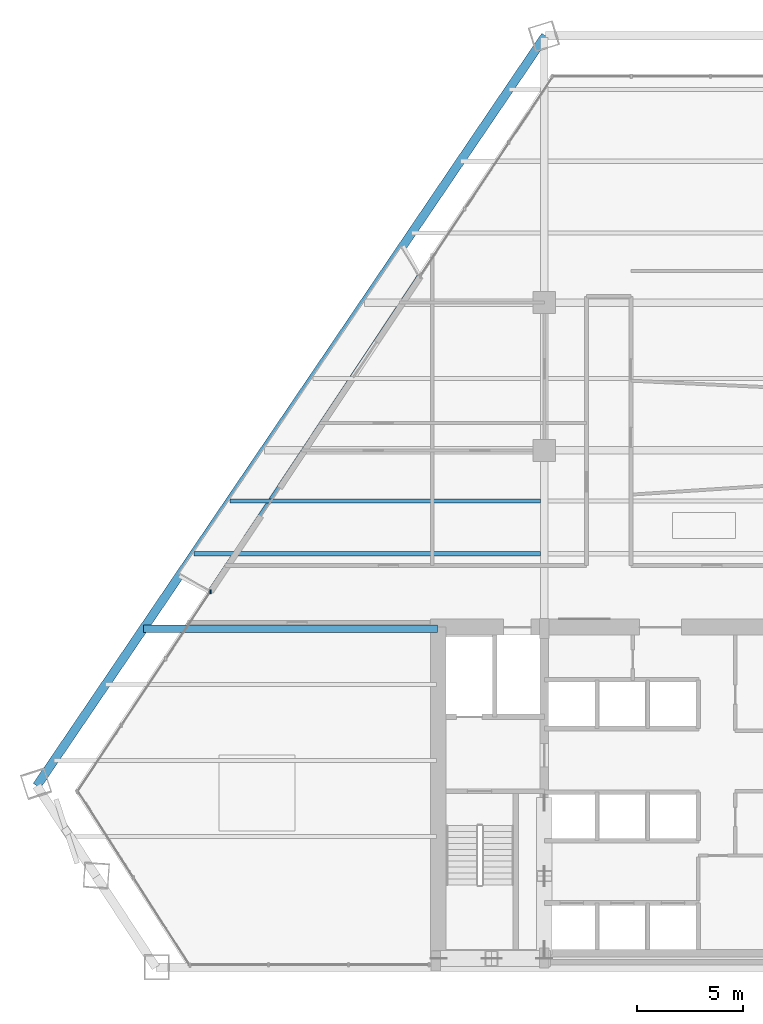
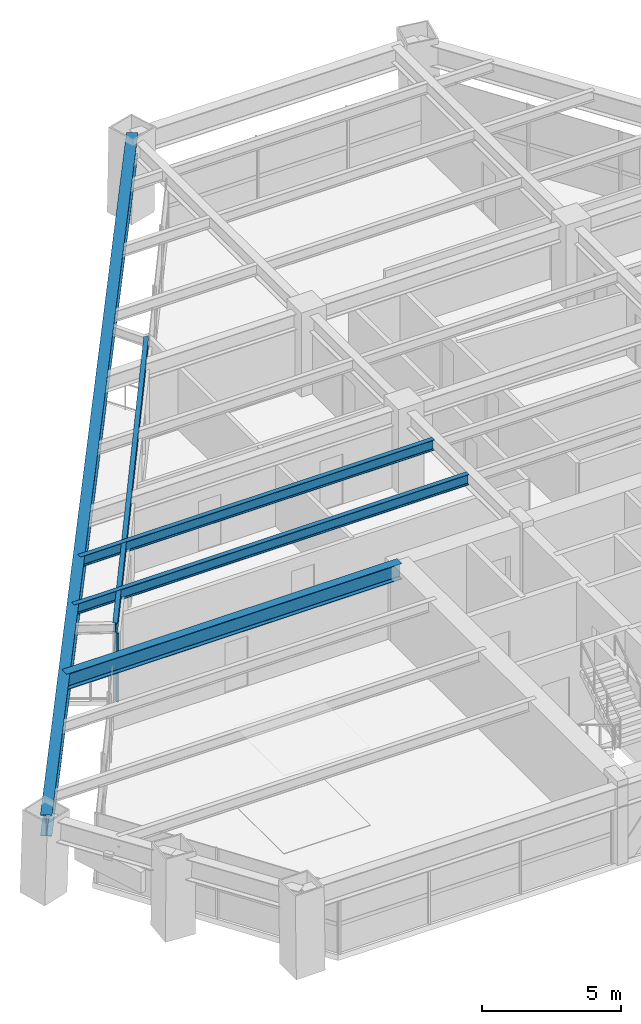
# One storey, part 4 of 14: 5 beams, 1 member, 1 element without a shape of its own.
"""IFC4 building model written with IfcOpenShell, lengths in metres."""

from ifc_helpers import new_model, si_unit, direction, frame, origin, origin_2d, place, context, subcontext, project, spatial, rectangle, i_section, extrude, source, transform, mapped, material, material_profile, profile_set, type_object, element, aggregate, save


model = new_model("IFC4")

# Units and contexts
model_context = context("Model", 3, precision=1e-05, world=origin(), true_north=direction((0.0, 1.0)))
body_context = subcontext(model_context, "Body", "Model", "MODEL_VIEW")
ifc_project = project(units=[si_unit("LENGTHUNIT", "METRE"), si_unit("AREAUNIT", "SQUARE_METRE"), si_unit("VOLUMEUNIT", "CUBIC_METRE"), si_unit("PLANEANGLEUNIT", "RADIAN"), si_unit("MASSUNIT", "GRAM", prefix="KILO")], contexts=[model_context])

# Site, building, storey
site_placement = place(None, origin())
site = spatial("IfcSite", under=ifc_project, at=site_placement, CompositionType="ELEMENT")
building_placement = place(site_placement, origin())
building = spatial("IfcBuilding", under=site, at=building_placement, Name="Varnakhor Terracotta Tower", CompositionType="ELEMENT")
storey_placement = place(building_placement, frame((0.0, 0.0, 113.60009765625)))
storey = spatial("IfcBuildingStorey", under=building, at=storey_placement, Name="L28", CompositionType="ELEMENT", Elevation=113.60009765625)

# Beams
ifc_material_1 = material(Name="Steel S355", Category="steel")
ifc_material_profile_1 = material_profile(ifc_material_1, i_section(OverallWidth=0.41796875, OverallDepth=0.927001953125, WebThickness=0.01904296875, FlangeThickness=0.031982421875, FilletRadius=0.01806640625, at=origin_2d()), Name="W36X231")
ifc_profile_set_1 = profile_set([ifc_material_profile_1], Name="Steel S355")
beam_type_1 = type_object("IfcBeamType", Name="BM-W36X231", PredefinedType="BEAM", material=ifc_profile_set_1)
shared_shape_1 = source(origin(), body_context, "Body", "SweptSolid", [
    extrude(i_section(OverallWidth=0.41796875, OverallDepth=0.927001953125, WebThickness=0.01904296875, FlangeThickness=0.031982421875, FilletRadius=0.01806640625, at=origin_2d()), origin(), (0.0, 0.0, 1.0), 42.947021484375),
])
beam_1_placement = place(storey_placement, frame((-5.449462890625, 44.143310546875, 2.986328125), z_axis=(-0.561186093713, -0.827689656951, 0.0), x_axis=(0.827689656951, -0.561186093713, 0.0)))
element("IfcBeam", 1, at=beam_1_placement, inside=storey, type_object=beam_type_1, Name="L28 Perimeter Spandrel 6", PredefinedType="BEAM", context=body_context, shape_type="MappedRepresentation", body=[
    mapped(shared_shape_1, transform((0.0, 0.0, 0.0), scale=1.0)),
])
ifc_material_profile_2 = material_profile(ifc_material_1, i_section(OverallWidth=0.179931640625, OverallDepth=0.39990234375, WebThickness=0.008544921875, FlangeThickness=0.013427734375, FilletRadius=0.01806640625, at=origin_2d()), Name="IPE400")
ifc_profile_set_2 = profile_set([ifc_material_profile_2], Name="Steel S355")
beam_type_2 = type_object("IfcBeamType", Name="JST-IPE400", PredefinedType="JOIST", material=ifc_profile_set_2)
shared_shape_2 = source(origin(), body_context, "Body", "SweptSolid", [
    extrude(i_section(OverallWidth=0.179931640625, OverallDepth=0.39990234375, WebThickness=0.008544921875, FlangeThickness=0.013427734375, FilletRadius=0.01806640625, at=origin_2d()), origin(), (0.0, 0.0, 1.0), 18.008544921875),
])
beam_2_placement = place(storey_placement, frame((-11.41650390625, 32.803955078125, 3.25), z_axis=(-0.552837339674, -0.833289191015, 0.0), x_axis=(0.833289191015, -0.552837339674, 0.0)))
element("IfcBeam", 2, at=beam_2_placement, inside=storey, type_object=beam_type_2, Name="L28 Loggia Edge Beam 2", PredefinedType="JOIST", context=body_context, shape_type="MappedRepresentation", body=[
    mapped(shared_shape_2, transform((0.0, 0.0, 0.0), scale=1.0)),
])
ifc_material_profile_3 = material_profile(ifc_material_1, i_section(OverallWidth=0.35498046875, OverallDepth=0.695068359375, WebThickness=0.014892578125, FlangeThickness=0.02490234375, FilletRadius=0.01806640625, at=origin_2d()), Name="W27X146")
ifc_profile_set_3 = profile_set([ifc_material_profile_3], Name="Steel S355")
beam_type_3 = type_object("IfcBeamType", Name="BM-W27X146", PredefinedType="BEAM", material=ifc_profile_set_3)
shared_shape_3 = source(origin(), body_context, "Body", "SweptSolid", [
    extrude(i_section(OverallWidth=0.35498046875, OverallDepth=0.695068359375, WebThickness=0.014892578125, FlangeThickness=0.02490234375, FilletRadius=0.01806640625, at=origin_2d()), origin(), (0.0, 0.0, 1.0), 13.947265625),
])
beam_3_placement = place(storey_placement, frame((-24.497314453125, 16.050048828125, 3.102294921875), z_axis=(1.0, 0.0, 0.0), x_axis=(0.0, 1.0, 0.0)))
element("IfcBeam", 3, at=beam_3_placement, inside=storey, type_object=beam_type_3, Name="L28 Wing Girder W", PredefinedType="BEAM", context=body_context, shape_type="MappedRepresentation", body=[
    mapped(shared_shape_3, transform((0.0, 0.0, 0.0), scale=1.0)),
])
ifc_material_profile_4 = material_profile(ifc_material_1, i_section(OverallWidth=0.19189453125, OverallDepth=0.462890625, WebThickness=0.010498046875, FlangeThickness=0.017578125, FilletRadius=0.01806640625, at=origin_2d()), Name="W18X60")
ifc_profile_set_4 = profile_set([ifc_material_profile_4], Name="Steel S355")
beam_type_4 = type_object("IfcBeamType", Name="JST-W18X60", PredefinedType="JOIST", material=ifc_profile_set_4)
shared_shape_4 = source(origin(), body_context, "Body", "SweptSolid", [
    extrude(i_section(OverallWidth=0.19189453125, OverallDepth=0.462890625, WebThickness=0.010498046875, FlangeThickness=0.017578125, FilletRadius=0.01806640625, at=origin_2d()), origin(), (0.0, 0.0, 1.0), 16.416748046875),
])
beam_4_placement = place(storey_placement, frame((-22.09033203125, 19.60009765625, 3.218505859375), z_axis=(1.0, 0.0, 0.0), x_axis=(0.0, 1.0, 0.0)))
element("IfcBeam", 4, at=beam_4_placement, inside=storey, type_object=beam_type_4, Name="L28 Composite Floor Joist 4-1", PredefinedType="JOIST", context=body_context, shape_type="MappedRepresentation", body=[
    mapped(shared_shape_4, transform((0.0, 0.0, 0.0), scale=1.0)),
])
shared_shape_5 = source(origin(), body_context, "Body", "SweptSolid", [
    extrude(i_section(OverallWidth=0.19189453125, OverallDepth=0.462890625, WebThickness=0.010498046875, FlangeThickness=0.017578125, FilletRadius=0.01806640625, at=origin_2d()), origin(), (0.0, 0.0, 1.0), 14.7216796875),
])
beam_5_placement = place(storey_placement, frame((-20.395263671875, 22.10009765625, 3.218505859375), z_axis=(1.0, 0.0, 0.0), x_axis=(0.0, 1.0, 0.0)))
element("IfcBeam", 5, at=beam_5_placement, inside=storey, type_object=beam_type_4, Name="L28 Composite Floor Joist 5-1", PredefinedType="JOIST", context=body_context, shape_type="MappedRepresentation", body=[
    mapped(shared_shape_5, transform((0.0, 0.0, 0.0), scale=1.0)),
])

# Curtain wall, member
ifc_material_2 = material(Name="Anodised Aluminium Curtain Wall System", Category="aluminium")
curtain_wall_type = type_object("IfcCurtainWallType", Name="CW-SYS-LOW-OFFICE", PredefinedType="NOTDEFINED", material=ifc_material_2)
curtain_wall_placement = place(storey_placement, origin())
curtain_wall = element("IfcCurtainWall", 6, at=curtain_wall_placement, inside=storey, type_object=curtain_wall_type, Name="L28 W Facet Curtain Wall 1", PredefinedType="NOTDEFINED")
ifc_material_3 = material(Name="Anodised Aluminium 6063-T6", Category="aluminium")
ifc_material_profile_5 = material_profile(ifc_material_3, rectangle(XDim=0.074951171875, YDim=0.18505859375, at=origin_2d()), Name="ALU MULLION 75x185")
ifc_profile_set_5 = profile_set([ifc_material_profile_5], Name="Anodised Aluminium 6063-T6")
member_type = type_object("IfcMemberType", Name="CWM-02", PredefinedType="MULLION", material=ifc_profile_set_5)
shared_shape_6 = source(origin(), body_context, "Body", "SweptSolid", [
    extrude(rectangle(XDim=0.074951171875, YDim=0.18505859375, at=origin_2d()), origin(), (0.0, 0.0, 1.0), 3.02978515625),
])
member_placement = place(storey_placement, frame((-21.30859375, 17.79931640625, 0.0), z_axis=(0.0, 0.0, 1.0), x_axis=(1.0, 0.0, 0.0)))
member = element("IfcMember", 7, at=member_placement, type_object=member_type, Name="L28 W Loggia Jamb Closure Mullion 1", PredefinedType="MULLION", context=body_context, shape_type="MappedRepresentation", body=[
    mapped(shared_shape_6, transform((0.0, 0.0, 0.0), scale=1.0)),
])
aggregate(curtain_wall, [member])

save(model, "model.ifc")
